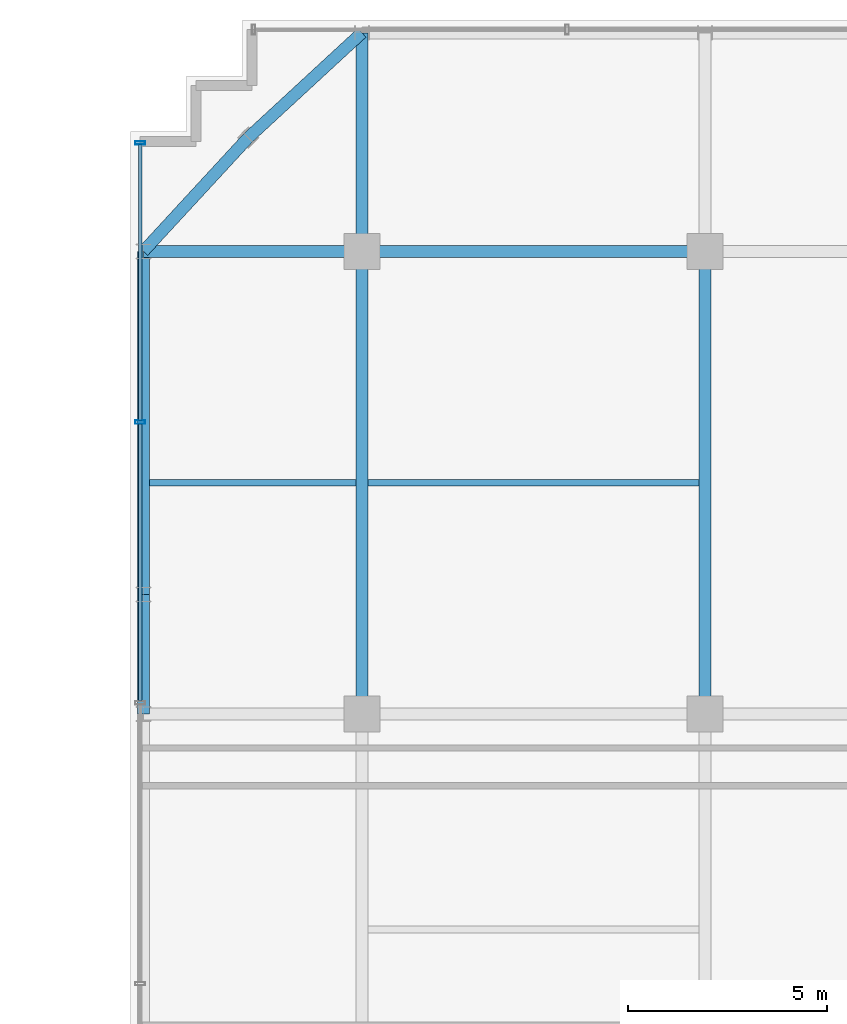
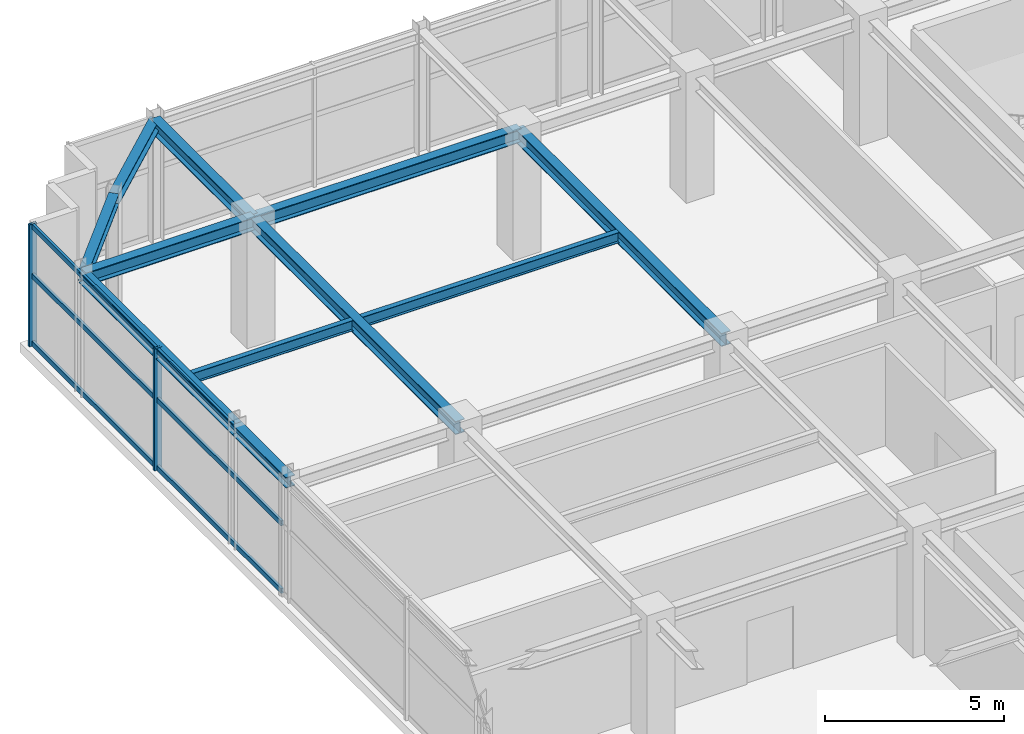
# One storey, part 12 of 25: 11 beams, 8 members, 1 element without a shape of its own.
"""IFC4 building model written with IfcOpenShell, lengths in metres."""

from ifc_helpers import new_model, si_unit, direction, frame, origin, origin_2d, place, context, subcontext, project, spatial, hollow_rectangle, i_section, extrude, source, transform, mapped, material, material_profile, profile_set, type_object, element, aggregate, save


model = new_model("IFC4")

# Units and contexts
model_context = context("Model", 3, precision=1e-05, world=origin(), true_north=direction((0.0, 1.0)))
body_context = subcontext(model_context, "Body", "Model", "MODEL_VIEW")
ifc_project = project(units=[si_unit("LENGTHUNIT", "METRE"), si_unit("AREAUNIT", "SQUARE_METRE"), si_unit("VOLUMEUNIT", "CUBIC_METRE"), si_unit("PLANEANGLEUNIT", "RADIAN"), si_unit("MASSUNIT", "GRAM", prefix="KILO")], contexts=[model_context])

# Site, building, storey
site_placement = place(None, origin())
site = spatial("IfcSite", under=ifc_project, at=site_placement, CompositionType="ELEMENT")
building_placement = place(site_placement, origin())
building = spatial("IfcBuilding", under=site, at=building_placement, Name="Nahalor Promenade Grand Hotel", CompositionType="ELEMENT")
storey_placement = place(building_placement, frame((0.0, 0.0, 338.550048828125)))
storey = spatial("IfcBuildingStorey", under=building, at=storey_placement, Name="L87", CompositionType="ELEMENT", Elevation=338.550048828125)

# Beams
ifc_material_1 = material(Name="Steel S355JR", Category="steel")
ifc_material_profile_1 = material_profile(ifc_material_1, i_section(OverallWidth=0.3, OverallDepth=0.45, WebThickness=0.014, FlangeThickness=0.026, at=origin_2d()), Name="HEB 450")
ifc_profile_set_1 = profile_set([ifc_material_profile_1], Name="Steel S355JR")
beam_type_1 = type_object("IfcBeamType", Name="Beam-Girder-HEB450", PredefinedType="BEAM", material=ifc_profile_set_1)
shared_shape_1 = source(origin(), body_context, "Body", "SweptSolid", [
    extrude(i_section(OverallWidth=0.3, OverallDepth=0.45, WebThickness=0.014, FlangeThickness=0.026, at=origin_2d()), origin(), (0.0, 0.0, 1.0), 8.60009765625),
])
beam_1_placement = place(storey_placement, frame((-17.0, 17.0, 3.945068359375), z_axis=(1.0, 0.0, 0.0), x_axis=(0.0, 1.0, 0.0)))
element("IfcBeam", 1, at=beam_1_placement, inside=storey, type_object=beam_type_1, Name="BM-L87-GX-3-1", PredefinedType="BEAM", context=body_context, shape_type="MappedRepresentation", body=[
    mapped(shared_shape_1, transform((0.0, 0.0, 0.0), scale=1.0)),
])
shared_shape_2 = source(origin(), body_context, "Body", "SweptSolid", [
    extrude(i_section(OverallWidth=0.3, OverallDepth=0.45, WebThickness=0.014, FlangeThickness=0.026, at=origin_2d()), origin(), (0.0, 0.0, 1.0), 11.60009765625),
])
for number, where, z_axis, x_axis, name in (
    (2, (-17.0, 5.39990234375, 3.945068359375), (0.0, 1.0, 0.0), (-1.0, 0.0, 0.0), "BM-L87-GY-0-3"),
    (3, (-8.39990234375, 5.39990234375, 3.945068359375), (0.0, 1.0, 0.0), (-1.0, 0.0, 0.0), "BM-L87-GY-1-3"),
):
    element("IfcBeam", number, at=place(storey_placement, frame(where, z_axis=z_axis, x_axis=x_axis)), inside=storey, type_object=beam_type_1, Name=name, PredefinedType="BEAM", context=body_context, shape_type="MappedRepresentation", body=[
        mapped(shared_shape_2, transform((0.0, 0.0, 0.0), scale=1.0)),
    ])
shared_shape_3 = source(origin(), body_context, "Body", "SweptSolid", [
    extrude(i_section(OverallWidth=0.3, OverallDepth=0.45, WebThickness=0.014, FlangeThickness=0.026, at=origin_2d()), origin(), (0.0, 0.0, 1.0), 5.47998046875),
])
for number, where, z_axis, x_axis, name in (
    (4, (-22.47998046875, 17.0, 3.945068359375), (1.0, 0.0, 0.0), (0.0, 1.0, 0.0), "BM-L87-GX-3-0"),
    (5, (-17.0, 17.0, 3.945068359375), (0.0, 1.0, 0.0), (-1.0, 0.0, 0.0), "BM-L87-GY-0-4"),
):
    element("IfcBeam", number, at=place(storey_placement, frame(where, z_axis=z_axis, x_axis=x_axis)), inside=storey, type_object=beam_type_1, Name=name, PredefinedType="BEAM", context=body_context, shape_type="MappedRepresentation", body=[
        mapped(shared_shape_3, transform((0.0, 0.0, 0.0), scale=1.0)),
    ])
ifc_material_profile_2 = material_profile(ifc_material_1, i_section(OverallWidth=0.3, OverallDepth=0.36, WebThickness=0.0125, FlangeThickness=0.0225, at=origin_2d()), Name="HEB 360")
ifc_profile_set_2 = profile_set([ifc_material_profile_2], Name="Steel S355JR")
beam_type_2 = type_object("IfcBeamType", Name="Beam-Spandrel-HEB360", PredefinedType="SPANDREL", material=ifc_profile_set_2)
shared_shape_4 = source(origin(), body_context, "Body", "SweptSolid", [
    extrude(i_section(OverallWidth=0.3, OverallDepth=0.36, WebThickness=0.0125, FlangeThickness=0.0225, at=origin_2d()), origin(), (0.0, 0.0, 1.0), 8.60009765625),
])
beam_2_placement = place(storey_placement, frame((-22.47998046875, 8.39990234375, 3.989990234375), z_axis=(0.0, 1.0, 0.0), x_axis=(-1.0, 0.0, 0.0)))
element("IfcBeam", 6, at=beam_2_placement, inside=storey, type_object=beam_type_2, Name="BM-L87-SP-W-4", PredefinedType="SPANDREL", context=body_context, shape_type="MappedRepresentation", body=[
    mapped(shared_shape_4, transform((0.0, 0.0, 0.0), scale=1.0)),
])
shared_shape_5 = source(origin(), body_context, "Body", "SweptSolid", [
    extrude(i_section(OverallWidth=0.3, OverallDepth=0.36, WebThickness=0.0125, FlangeThickness=0.0225, at=origin_2d()), origin(), (0.0, 0.0, 1.0), 3.0),
])
beam_3_placement = place(storey_placement, frame((-22.47998046875, 5.39990234375, 3.989990234375), z_axis=(0.0, 1.0, 0.0), x_axis=(-1.0, 0.0, 0.0)))
element("IfcBeam", 7, at=beam_3_placement, inside=storey, type_object=beam_type_2, Name="BM-L87-SP-W-3", PredefinedType="SPANDREL", context=body_context, shape_type="MappedRepresentation", body=[
    mapped(shared_shape_5, transform((0.0, 0.0, 0.0), scale=1.0)),
])
shared_shape_6 = source(origin(), body_context, "Body", "SweptSolid", [
    extrude(i_section(OverallWidth=0.3, OverallDepth=0.36, WebThickness=0.0125, FlangeThickness=0.0225, at=origin_2d()), origin(), (0.0, 0.0, 1.0), 3.878173828125),
])
for number, where, z_axis, x_axis, name in (
    (8, (-17.0, 22.47998046875, 3.989990234375), (-0.73492893846, -0.678144125843, 0.0), (0.678144125843, -0.73492893846, 0.0), "BM-L87-SPC-NW-1"),
    (9, (-19.85009765625, 19.85009765625, 3.989990234375), (-0.678144125843, -0.73492893846, 0.0), (0.73492893846, -0.678144125843, 0.0), "BM-L87-SPC-NW-2"),
):
    element("IfcBeam", number, at=place(storey_placement, frame(where, z_axis=z_axis, x_axis=x_axis)), inside=storey, type_object=beam_type_2, Name=name, PredefinedType="SPANDREL", context=body_context, shape_type="MappedRepresentation", body=[
        mapped(shared_shape_6, transform((0.0, 0.0, 0.0), scale=1.0)),
    ])
ifc_material_profile_3 = material_profile(ifc_material_1, i_section(OverallWidth=0.17, OverallDepth=0.36, WebThickness=0.008, FlangeThickness=0.0127, at=origin_2d()), Name="IPE 360")
ifc_profile_set_3 = profile_set([ifc_material_profile_3], Name="Steel S355JR")
beam_type_3 = type_object("IfcBeamType", Name="Beam-Joist-IPE360", PredefinedType="JOIST", material=ifc_profile_set_3)
shared_shape_7 = source(origin(), body_context, "Body", "SweptSolid", [
    extrude(i_section(OverallWidth=0.17, OverallDepth=0.36, WebThickness=0.008, FlangeThickness=0.0127, at=origin_2d()), origin(), (0.0, 0.0, 1.0), 5.18017578125),
])
beam_4_placement = place(storey_placement, frame((-22.330078125, 11.199951171875, 3.989990234375), z_axis=(1.0, 0.0, 0.0), x_axis=(0.0, 1.0, 0.0)))
element("IfcBeam", 10, at=beam_4_placement, inside=storey, type_object=beam_type_3, Name="BM-L87-JSW-1-0", PredefinedType="JOIST", context=body_context, shape_type="MappedRepresentation", body=[
    mapped(shared_shape_7, transform((0.0, 0.0, 0.0), scale=1.0)),
])
shared_shape_8 = source(origin(), body_context, "Body", "SweptSolid", [
    extrude(i_section(OverallWidth=0.17, OverallDepth=0.36, WebThickness=0.008, FlangeThickness=0.0127, at=origin_2d()), origin(), (0.0, 0.0, 1.0), 8.300048828125),
])
beam_5_placement = place(storey_placement, frame((-16.85009765625, 11.199951171875, 3.989990234375), z_axis=(1.0, 0.0, 0.0), x_axis=(0.0, 1.0, 0.0)))
element("IfcBeam", 11, at=beam_5_placement, inside=storey, type_object=beam_type_3, Name="BM-L87-JSW-1-1", PredefinedType="JOIST", context=body_context, shape_type="MappedRepresentation", body=[
    mapped(shared_shape_8, transform((0.0, 0.0, 0.0), scale=1.0)),
])

# Curtain wall, members
ifc_material_2 = material(Name="Anodised Bronze Aluminium EN AW-6063 T6", Category="aluminium")
curtain_wall_type = type_object("IfcCurtainWallType", Name="CW5 Sky-Lobby & Observation Panoramic Curtain Wall", PredefinedType="USERDEFINED", material=ifc_material_2)
curtain_wall_placement = place(storey_placement, origin())
curtain_wall = element("IfcCurtainWall", 12, at=curtain_wall_placement, inside=storey, type_object=curtain_wall_type, Name="L87 Curtain Wall CW-L87-W-3", ObjectType="UNITISED_CURTAIN_WALL", PredefinedType="USERDEFINED")
ifc_material_profile_4 = material_profile(ifc_material_2, hollow_rectangle(XDim=0.085, YDim=0.25, WallThickness=0.006, at=origin_2d()), Name="CWM 85x250x6")
ifc_profile_set_4 = profile_set([ifc_material_profile_4], Name="Anodised Bronze Aluminium EN AW-6063 T6")
member_type_1 = type_object("IfcMemberType", Name="CWM5 Panoramic Deep Mullion 85x250", PredefinedType="MULLION", material=ifc_profile_set_4)
shared_shape_9 = source(origin(), body_context, "Body", "SweptSolid", [
    extrude(hollow_rectangle(XDim=0.085, YDim=0.25, WallThickness=0.006, at=origin_2d()), origin(), (0.0, 0.0, 1.0), 4.169921875),
])
member_1_placement = place(storey_placement, frame((-22.56005859375, 12.719970703125, 0.0), z_axis=(0.0, 0.0, 1.0), x_axis=(0.0, 1.0, 0.0)))
member_1 = element("IfcMember", 13, at=member_1_placement, type_object=member_type_1, Name="CW-L87-W-3 Mullion 3", PredefinedType="MULLION", context=body_context, shape_type="MappedRepresentation", body=[
    mapped(shared_shape_9, transform((0.0, 0.0, 0.0), scale=1.0)),
])
member_2_placement = place(storey_placement, frame((-22.56005859375, 19.717529296875, 0.0), z_axis=(0.0, 0.0, 1.0), x_axis=(0.0, 1.0, 0.0)))
member_2 = element("IfcMember", 14, at=member_2_placement, type_object=member_type_1, Name="CW-L87-W-3 Mullion 4", PredefinedType="MULLION", context=body_context, shape_type="MappedRepresentation", body=[
    mapped(shared_shape_9, transform((0.0, 0.0, 0.0), scale=1.0)),
])
ifc_material_profile_5 = material_profile(ifc_material_2, hollow_rectangle(XDim=0.085, YDim=0.17, WallThickness=0.005, at=origin_2d()), Name="CWT 85x170x5")
ifc_profile_set_5 = profile_set([ifc_material_profile_5], Name="Anodised Bronze Aluminium EN AW-6063 T6")
member_type_2 = type_object("IfcMemberType", Name="CWT5 Panoramic Transom 85x170", PredefinedType="USERDEFINED", material=ifc_profile_set_5)
shared_shape_10 = source(origin(), body_context, "Body", "SweptSolid", [
    extrude(hollow_rectangle(XDim=0.085, YDim=0.17, WallThickness=0.005, at=origin_2d()), origin(), (0.0, 0.0, 1.0), 6.955078125),
])
member_3_placement = place(storey_placement, frame((-22.56005859375, 5.722412109375, 0.0849609375), z_axis=(0.0, 1.0, 0.0), x_axis=(-1.0, 0.0, 0.0)))
member_3 = element("IfcMember", 15, at=member_3_placement, type_object=member_type_2, Name="CW-L87-W-3 Transom 2-0", ObjectType="TRANSOM", PredefinedType="USERDEFINED", context=body_context, shape_type="MappedRepresentation", body=[
    mapped(shared_shape_10, transform((0.0, 0.0, 0.0), scale=1.0)),
])
member_4_placement = place(storey_placement, frame((-22.56005859375, 5.722412109375, 2.39990234375), z_axis=(0.0, 1.0, 0.0), x_axis=(-1.0, 0.0, 0.0)))
member_4 = element("IfcMember", 16, at=member_4_placement, type_object=member_type_2, Name="CW-L87-W-3 Transom 2-1", ObjectType="TRANSOM", PredefinedType="USERDEFINED", context=body_context, shape_type="MappedRepresentation", body=[
    mapped(shared_shape_10, transform((0.0, 0.0, 0.0), scale=1.0)),
])
member_5_placement = place(storey_placement, frame((-22.56005859375, 5.722412109375, 4.0849609375), z_axis=(0.0, 1.0, 0.0), x_axis=(-1.0, 0.0, 0.0)))
member_5 = element("IfcMember", 17, at=member_5_placement, type_object=member_type_2, Name="CW-L87-W-3 Transom 2-2", ObjectType="TRANSOM", PredefinedType="USERDEFINED", context=body_context, shape_type="MappedRepresentation", body=[
    mapped(shared_shape_10, transform((0.0, 0.0, 0.0), scale=1.0)),
])
shared_shape_11 = source(origin(), body_context, "Body", "SweptSolid", [
    extrude(hollow_rectangle(XDim=0.085, YDim=0.17, WallThickness=0.005, at=origin_2d()), origin(), (0.0, 0.0, 1.0), 6.91259765625),
])
member_6_placement = place(storey_placement, frame((-22.56005859375, 12.762451171875, 0.0849609375), z_axis=(0.0, 1.0, 0.0), x_axis=(-1.0, 0.0, 0.0)))
member_6 = element("IfcMember", 18, at=member_6_placement, type_object=member_type_2, Name="CW-L87-W-3 Transom 3-0", ObjectType="TRANSOM", PredefinedType="USERDEFINED", context=body_context, shape_type="MappedRepresentation", body=[
    mapped(shared_shape_11, transform((0.0, 0.0, 0.0), scale=1.0)),
])
member_7_placement = place(storey_placement, frame((-22.56005859375, 12.762451171875, 2.39990234375), z_axis=(0.0, 1.0, 0.0), x_axis=(-1.0, 0.0, 0.0)))
member_7 = element("IfcMember", 19, at=member_7_placement, type_object=member_type_2, Name="CW-L87-W-3 Transom 3-1", ObjectType="TRANSOM", PredefinedType="USERDEFINED", context=body_context, shape_type="MappedRepresentation", body=[
    mapped(shared_shape_11, transform((0.0, 0.0, 0.0), scale=1.0)),
])
member_8_placement = place(storey_placement, frame((-22.56005859375, 12.762451171875, 4.0849609375), z_axis=(0.0, 1.0, 0.0), x_axis=(-1.0, 0.0, 0.0)))
member_8 = element("IfcMember", 20, at=member_8_placement, type_object=member_type_2, Name="CW-L87-W-3 Transom 3-2", ObjectType="TRANSOM", PredefinedType="USERDEFINED", context=body_context, shape_type="MappedRepresentation", body=[
    mapped(shared_shape_11, transform((0.0, 0.0, 0.0), scale=1.0)),
])
aggregate(curtain_wall, [member_1, member_2, member_3, member_4, member_5, member_6, member_7, member_8])

save(model, "model.ifc")
